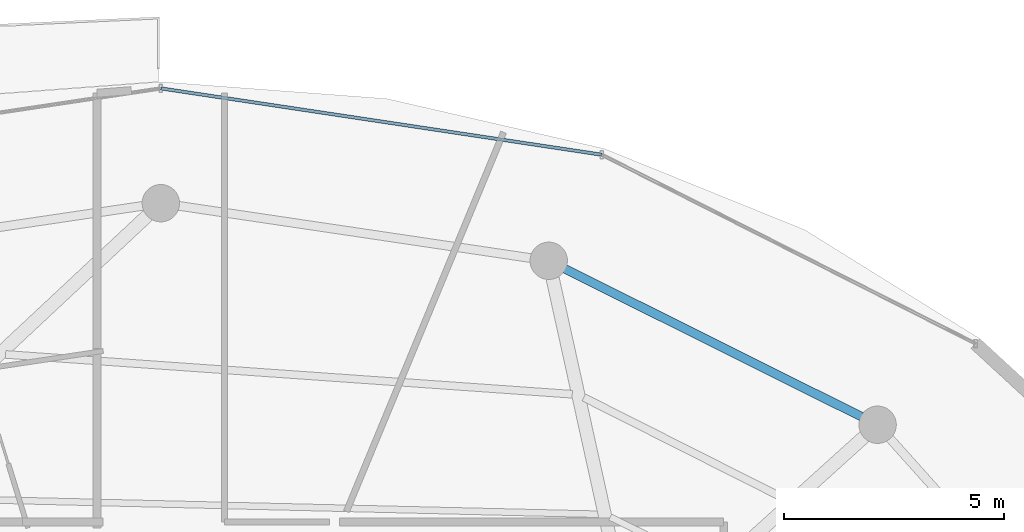
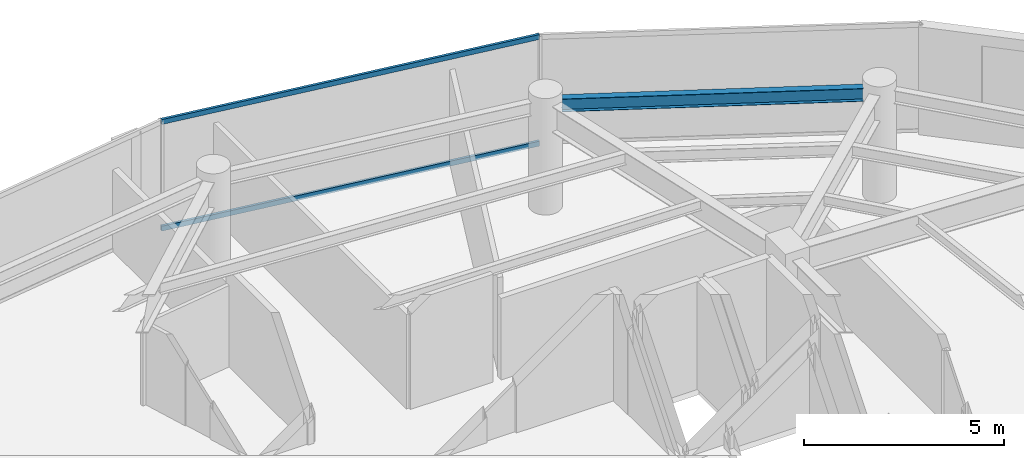
# One storey, part 19 of 30: 2 members, 1 beam, 1 element without a shape of its own.
"""IFC4 building model written with IfcOpenShell, lengths in metres."""

from ifc_helpers import new_model, si_unit, direction, frame, origin, origin_2d, place, context, subcontext, project, spatial, hollow_rectangle, i_section, extrude, material, material_profile, profile_set, type_object, element, aggregate, save


model = new_model("IFC4")

# Units and contexts
model_context = context("Model", 3, precision=1e-05, world=origin(), true_north=direction((0.0, 1.0)))
body_context = subcontext(model_context, "Body", "Model", "MODEL_VIEW")
ifc_project = project(units=[si_unit("LENGTHUNIT", "METRE"), si_unit("AREAUNIT", "SQUARE_METRE"), si_unit("VOLUMEUNIT", "CUBIC_METRE"), si_unit("PLANEANGLEUNIT", "RADIAN"), si_unit("MASSUNIT", "GRAM", prefix="KILO")], contexts=[model_context])

# Site, building, storey
site_placement = place(None, origin())
site = spatial("IfcSite", under=ifc_project, at=site_placement, CompositionType="ELEMENT")
building_placement = place(site_placement, origin())
building = spatial("IfcBuilding", under=site, at=building_placement, Name="Vorneva Point Tower", CompositionType="ELEMENT")
storey_placement = place(building_placement, frame((0.0, 0.0, 241.35009765625)))
storey = spatial("IfcBuildingStorey", under=building, at=storey_placement, Name="L65", CompositionType="ELEMENT", Elevation=241.35009765625)

# Beam
ifc_material_1 = material(Name="Steel S355", Category="steel")
ifc_material_profile_1 = material_profile(ifc_material_1, i_section(OverallWidth=0.198974609375, OverallDepth=0.39599609375, WebThickness=0.007080078125, FlangeThickness=0.010986328125, at=origin_2d()), Name="40B1")
ifc_profile_set_1 = profile_set([ifc_material_profile_1], Name="Steel S355")
beam_type = type_object("IfcBeamType", Name="BM-SPN-40B1", PredefinedType="SPANDREL", material=ifc_profile_set_1)
beam_placement = place(storey_placement, frame((53.931884765625, 38.34521484375, 3.091796875), z_axis=(-0.894932011528, 0.446202526599, 0.0), x_axis=(-0.446202526599, -0.894932011528, 0.0)))
element("IfcBeam", 1, at=beam_placement, inside=storey, type_object=beam_type, Name="L65 Perimeter Spandrel Ring Beam 03", PredefinedType="SPANDREL", context=body_context, shape_type="SweptSolid", body=[
    extrude(i_section(OverallWidth=0.198974609375, OverallDepth=0.39599609375, WebThickness=0.007080078125, FlangeThickness=0.010986328125, at=origin_2d()), origin(), (0.0, 0.0, 1.0), 7.535888671875),
])

# Curtain wall, members
ifc_material_2 = material(Name="Pale anodised aluminium", Category="aluminium")
curtain_wall_type = type_object("IfcCurtainWallType", Name="CW-RES-SYS", PredefinedType="NOTDEFINED", material=ifc_material_2)
curtain_wall_placement = place(storey_placement, origin())
curtain_wall = element("IfcCurtainWall", 2, at=curtain_wall_placement, inside=storey, type_object=curtain_wall_type, Name="L65 Unitised Curtain Wall CW-L65-R02", PredefinedType="NOTDEFINED")
ifc_material_profile_2 = material_profile(ifc_material_2, hollow_rectangle(XDim=0.074951171875, YDim=0.14990234375, WallThickness=0.00390625, at=origin_2d()), Name="AL-TRN 150x75x4")
ifc_profile_set_2 = profile_set([ifc_material_profile_2], Name="Pale anodised aluminium")
member_type = type_object("IfcMemberType", Name="CW-TRN-150", PredefinedType="USERDEFINED", material=ifc_profile_set_2)
member_1_placement = place(storey_placement, frame((48.0263671875, 44.302001953125, 0.02001953125), z_axis=(-0.988876929856, 0.148736066907, 0.0), x_axis=(-0.148736066907, -0.988876929856, 0.0)))
member_1 = element("IfcMember", 3, at=member_1_placement, type_object=member_type, Name="CW-L65-R02 Transom 02.1", ObjectType="TRANSOM", PredefinedType="USERDEFINED", context=body_context, shape_type="SweptSolid", body=[
    extrude(hollow_rectangle(XDim=0.074951171875, YDim=0.14990234375, WallThickness=0.00390625, at=origin_2d()), origin(), (0.0, 0.0, 1.0), 10.13916015625),
])
member_2_placement = place(storey_placement, frame((48.0263671875, 44.302001953125, 3.27001953125), z_axis=(-0.988876929856, 0.148736066907, 0.0), x_axis=(-0.148736066907, -0.988876929856, 0.0)))
member_2 = element("IfcMember", 4, at=member_2_placement, type_object=member_type, Name="CW-L65-R02 Transom 02.2", ObjectType="TRANSOM", PredefinedType="USERDEFINED", context=body_context, shape_type="SweptSolid", body=[
    extrude(hollow_rectangle(XDim=0.074951171875, YDim=0.14990234375, WallThickness=0.00390625, at=origin_2d()), origin(), (0.0, 0.0, 1.0), 10.13916015625),
])
aggregate(curtain_wall, [member_1, member_2])

save(model, "model.ifc")
